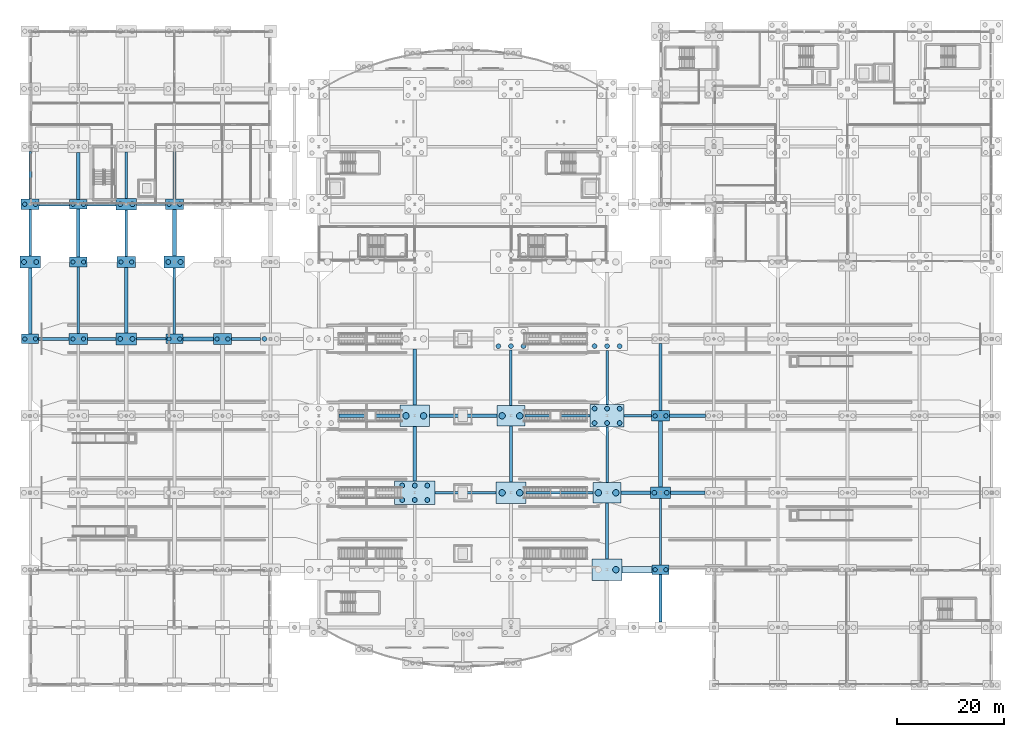
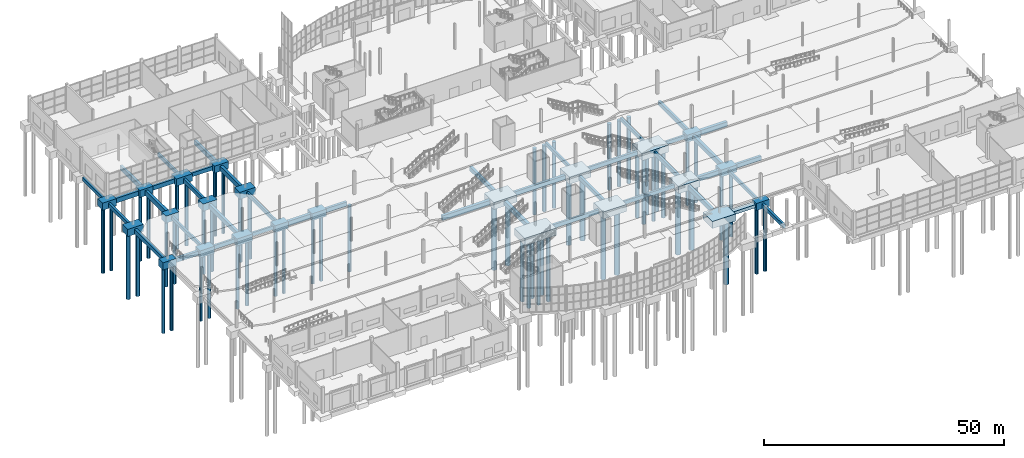
# One storey, part 3 of 115: 64 footings, 60 piles.
"""IFC4 building model written with IfcOpenShell, lengths in metres."""

from ifc_helpers import new_model, si_unit, direction, frame, origin, origin_2d, place, context, subcontext, project, spatial, rectangle, circle, extrude, material, material_profile, profile_set, type_object, element, save


model = new_model("IFC4")

# Units and contexts
model_context = context("Model", 3, precision=1e-05, world=origin(), true_north=direction((0.0, 1.0)))
body_context = subcontext(model_context, "Body", "Model", "MODEL_VIEW")
ifc_project = project(units=[si_unit("LENGTHUNIT", "METRE"), si_unit("AREAUNIT", "SQUARE_METRE"), si_unit("VOLUMEUNIT", "CUBIC_METRE"), si_unit("PLANEANGLEUNIT", "RADIAN"), si_unit("MASSUNIT", "GRAM", prefix="KILO")], contexts=[model_context])

# Site, building, storey
site_placement = place(None, origin())
site = spatial("IfcSite", under=ifc_project, at=site_placement, CompositionType="ELEMENT")
building_placement = place(site_placement, origin())
building = spatial("IfcBuilding", under=site, at=building_placement, Name="Tamarisk Ironworks Central Station", CompositionType="ELEMENT")
storey_placement = place(building_placement, origin())
storey = spatial("IfcBuildingStorey", under=building, at=storey_placement, Name="L00", CompositionType="ELEMENT", Elevation=0.0)

# Footings
ifc_material = material(Name="Concrete C40/50", Category="concrete")
footing_type_1 = type_object("IfcFootingType", Name="CAP-PC01", PredefinedType="PILE_CAP", material=ifc_material)
for number, where, z_axis, x_axis, name in (
    (1, (90.0, 50.39990234375, -1.7998046875), (0.0, 0.0, 1.0), (1.0, 0.0, 0.0), "Pile cap V2-12E"),
    (2, (108.0, 36.0, -1.7998046875), (0.0, 0.0, 1.0), (1.0, 0.0, 0.0), "Pile cap V2-14D"),
):
    element("IfcFooting", number, at=place(storey_placement, frame(where, z_axis=z_axis, x_axis=x_axis)), inside=storey, type_object=footing_type_1, Name=name, PredefinedType="PILE_CAP", context=body_context, shape_type="SweptSolid", body=[
        extrude(rectangle(XDim=5.199951171875, YDim=3.800048828125, at=origin_2d()), origin(), (0.0, 0.0, 1.0), 1.800048828125),
    ])
footing_type_2 = type_object("IfcFootingType", Name="CAP-PC07", PredefinedType="PILE_CAP", material=ifc_material)
for number, where, z_axis, x_axis, name in (
    (3, (0.0, 79.199951171875, -1.7998046875), (0.0, 0.0, 1.0), (1.0, 0.0, 0.0), "Pile cap V1-01G"),
    (4, (18.0, 64.800048828125, -1.7998046875), (0.0, 0.0, 1.0), (1.0, 0.0, 0.0), "Pile cap V1-03F"),
    (5, (27.0, 79.199951171875, -1.7998046875), (0.0, 0.0, 1.0), (1.0, 0.0, 0.0), "Pile cap V1-04G"),
    (6, (118.0, 36.0, -1.7998046875), (0.0, 0.0, 1.0), (1.0, 0.0, 0.0), "Pile cap V1-15D"),
    (7, (18.0, 90.0, -1.7998046875), (0.0, 0.0, 1.0), (1.0, 0.0, 0.0), "Pile cap V4-03H"),
):
    element("IfcFooting", number, at=place(storey_placement, frame(where, z_axis=z_axis, x_axis=x_axis)), inside=storey, type_object=footing_type_2, Name=name, PredefinedType="PILE_CAP", context=body_context, shape_type="SweptSolid", body=[
        extrude(rectangle(XDim=3.800048828125, YDim=2.199951171875, at=origin_2d()), origin(), (0.0, 0.0, 1.0), 1.800048828125),
    ])
footing_type_3 = type_object("IfcFootingType", Name="CAP-PC08", PredefinedType="PILE_CAP", material=ifc_material)
for number, where, z_axis, x_axis, name in (
    (8, (9.0, 64.800048828125, -1.7998046875), (0.0, 0.0, 1.0), (1.0, 0.0, 0.0), "Pile cap V1-02F"),
    (9, (18.0, 79.199951171875, -1.7998046875), (0.0, 0.0, 1.0), (1.0, 0.0, 0.0), "Pile cap V1-03G"),
    (10, (36.0, 64.800048828125, -1.7998046875), (0.0, 0.0, 1.0), (1.0, 0.0, 0.0), "Pile cap V1-05F"),
    (11, (118.0, 50.39990234375, -1.7998046875), (0.0, 0.0, 1.0), (1.0, 0.0, 0.0), "Pile cap V1-15E"),
    (12, (0.0, 90.0, -1.7998046875), (0.0, 0.0, 1.0), (1.0, 0.0, 0.0), "Pile cap V4-01H"),
    (13, (27.0, 90.0, -1.7998046875), (0.0, 0.0, 1.0), (1.0, 0.0, 0.0), "Pile cap V4-04H"),
):
    element("IfcFooting", number, at=place(storey_placement, frame(where, z_axis=z_axis, x_axis=x_axis)), inside=storey, type_object=footing_type_3, Name=name, PredefinedType="PILE_CAP", context=body_context, shape_type="SweptSolid", body=[
        extrude(rectangle(XDim=3.39990234375, YDim=2.0, at=origin_2d()), origin(), (0.0, 0.0, 1.0), 1.800048828125),
    ])
footing_type_4 = type_object("IfcFootingType", Name="CAP-PC09", PredefinedType="PILE_CAP", material=ifc_material)
for number, where, z_axis, x_axis, name in (
    (14, (0.0, 64.800048828125, -1.7998046875), (0.0, 0.0, 1.0), (1.0, 0.0, 0.0), "Pile cap V1-01F"),
    (15, (9.0, 79.199951171875, -1.7998046875), (0.0, 0.0, 1.0), (1.0, 0.0, 0.0), "Pile cap V1-02G"),
    (16, (27.0, 64.800048828125, -1.7998046875), (0.0, 0.0, 1.0), (1.0, 0.0, 0.0), "Pile cap V1-04F"),
    (17, (118.0, 21.60009765625, -1.7998046875), (0.0, 0.0, 1.0), (1.0, 0.0, 0.0), "Pile cap V1-15C"),
    (18, (9.0, 90.0, -1.7998046875), (0.0, 0.0, 1.0), (1.0, 0.0, 0.0), "Pile cap V4-02H"),
):
    element("IfcFooting", number, at=place(storey_placement, frame(where, z_axis=z_axis, x_axis=x_axis)), inside=storey, type_object=footing_type_4, Name=name, PredefinedType="PILE_CAP", context=body_context, shape_type="SweptSolid", body=[
        extrude(rectangle(XDim=3.199951171875, YDim=1.800048828125, at=origin_2d()), origin(), (0.0, 0.0, 1.0), 1.800048828125),
    ])
footing_type_5 = type_object("IfcFootingType", Name="CAP-PC10", PredefinedType="PILE_CAP", material=ifc_material)
footing_1_placement = place(storey_placement, frame((108.0, 50.39990234375, -1.7998046875), z_axis=(0.0, 0.0, 1.0), x_axis=(1.0, 0.0, 0.0)))
element("IfcFooting", 19, at=footing_1_placement, inside=storey, type_object=footing_type_5, Name="Pile cap V2-14E", PredefinedType="PILE_CAP", context=body_context, shape_type="SweptSolid", body=[
    extrude(rectangle(XDim=6.39990234375, YDim=4.199951171875, at=origin_2d()), origin(), (0.0, 0.0, 1.0), 1.800048828125),
])
footing_type_6 = type_object("IfcFootingType", Name="CAP-PC11", PredefinedType="PILE_CAP", material=ifc_material)
footing_2_placement = place(storey_placement, frame((72.0, 36.0, -1.7998046875), z_axis=(0.0, 0.0, 1.0), x_axis=(1.0, 0.0, 0.0)))
element("IfcFooting", 20, at=footing_2_placement, inside=storey, type_object=footing_type_6, Name="Pile cap V2-09D", PredefinedType="PILE_CAP", context=body_context, shape_type="SweptSolid", body=[
    extrude(rectangle(XDim=7.60009765625, YDim=4.39990234375, at=origin_2d()), origin(), (0.0, 0.0, 1.0), 1.800048828125),
])
footing_type_7 = type_object("IfcFootingType", Name="CAP-PC12", PredefinedType="PILE_CAP", material=ifc_material)
for number, where, z_axis, x_axis, name in (
    (21, (72.0, 50.39990234375, -1.7998046875), (0.0, 0.0, 1.0), (1.0, 0.0, 0.0), "Pile cap V2-09E"),
    (22, (90.0, 36.0, -1.7998046875), (0.0, 0.0, 1.0), (1.0, 0.0, 0.0), "Pile cap V2-12D"),
    (23, (108.0, 21.60009765625, -1.7998046875), (0.0, 0.0, 1.0), (1.0, 0.0, 0.0), "Pile cap V2-14C"),
):
    element("IfcFooting", number, at=place(storey_placement, frame(where, z_axis=z_axis, x_axis=x_axis)), inside=storey, type_object=footing_type_7, Name=name, PredefinedType="PILE_CAP", context=body_context, shape_type="SweptSolid", body=[
        extrude(rectangle(XDim=5.60009765625, YDim=4.0, at=origin_2d()), origin(), (0.0, 0.0, 1.0), 1.800048828125),
    ])
ifc_material_profile_1 = material_profile(ifc_material, rectangle(XDim=0.699951171875, YDim=1.199951171875, at=origin_2d()), Name="GB01 700x1200")
ifc_profile_set_1 = profile_set([ifc_material_profile_1], Name="Concrete C40/50")
footing_type_8 = type_object("IfcFootingType", Name="GB-01", PredefinedType="FOOTING_BEAM", material=ifc_profile_set_1)
footing_3_placement = place(storey_placement, frame((110.60009765625, 36.0, -1.050048828125), z_axis=(1.0, 0.0, 0.0), x_axis=(0.0, 1.0, 0.0)))
element("IfcFooting", 24, at=footing_3_placement, inside=storey, type_object=footing_type_8, Name="Ground tie beam GB-X-037", PredefinedType="FOOTING_BEAM", context=body_context, shape_type="SweptSolid", body=[
    extrude(rectangle(XDim=0.699951171875, YDim=1.199951171875, at=origin_2d()), origin(), (0.0, 0.0, 1.0), 5.5),
])
footing_4_placement = place(storey_placement, frame((57.800048828125, 50.39990234375, -1.050048828125), z_axis=(1.0, 0.0, 0.0), x_axis=(0.0, 1.0, 0.0)))
element("IfcFooting", 25, at=footing_4_placement, inside=storey, type_object=footing_type_8, Name="Ground tie beam GB-X-049", PredefinedType="FOOTING_BEAM", context=body_context, shape_type="SweptSolid", body=[
    extrude(rectangle(XDim=0.699951171875, YDim=1.199951171875, at=origin_2d()), origin(), (0.0, 0.0, 1.0), 11.39990234375),
])
footing_5_placement = place(storey_placement, frame((119.699951171875, 50.39990234375, -1.050048828125), z_axis=(1.0, 0.0, 0.0), x_axis=(0.0, 1.0, 0.0)))
element("IfcFooting", 26, at=footing_5_placement, inside=storey, type_object=footing_type_8, Name="Ground tie beam GB-X-053", PredefinedType="FOOTING_BEAM", context=body_context, shape_type="SweptSolid", body=[
    extrude(rectangle(XDim=0.699951171875, YDim=1.199951171875, at=origin_2d()), origin(), (0.0, 0.0, 1.0), 6.699951171875),
])
for number, where, z_axis, x_axis, name in (
    (27, (28.60009765625, 64.800048828125, -1.050048828125), (1.0, 0.0, 0.0), (0.0, 1.0, 0.0), "Ground tie beam GB-X-061"),
    (28, (1.699951171875, 90.0, -1.050048828125), (1.0, 0.0, 0.0), (0.0, 1.0, 0.0), "Ground tie beam GB-X-073"),
):
    element("IfcFooting", number, at=place(storey_placement, frame(where, z_axis=z_axis, x_axis=x_axis)), inside=storey, type_object=footing_type_8, Name=name, PredefinedType="FOOTING_BEAM", context=body_context, shape_type="SweptSolid", body=[
        extrude(rectangle(XDim=0.699951171875, YDim=1.199951171875, at=origin_2d()), origin(), (0.0, 0.0, 1.0), 5.699951171875),
    ])
footing_6_placement = place(storey_placement, frame((9.0, 80.10009765625, -1.050048828125), z_axis=(0.0, 1.0, 0.0), x_axis=(-1.0, 0.0, 0.0)))
element("IfcFooting", 29, at=footing_6_placement, inside=storey, type_object=footing_type_8, Name="Ground tie beam GB-Y-149", PredefinedType="FOOTING_BEAM", context=body_context, shape_type="SweptSolid", body=[
    extrude(rectangle(XDim=0.699951171875, YDim=1.199951171875, at=origin_2d()), origin(), (0.0, 0.0, 1.0), 9.0),
])
footing_7_placement = place(storey_placement, frame((27.0, 80.300048828125, -1.050048828125), z_axis=(0.0, 1.0, 0.0), x_axis=(-1.0, 0.0, 0.0)))
element("IfcFooting", 30, at=footing_7_placement, inside=storey, type_object=footing_type_8, Name="Ground tie beam GB-Y-169", PredefinedType="FOOTING_BEAM", context=body_context, shape_type="SweptSolid", body=[
    extrude(rectangle(XDim=0.699951171875, YDim=1.199951171875, at=origin_2d()), origin(), (0.0, 0.0, 1.0), 8.699951171875),
])
footing_8_placement = place(storey_placement, frame((72.0, 38.199951171875, -1.050048828125), z_axis=(0.0, 1.0, 0.0), x_axis=(-1.0, 0.0, 0.0)))
element("IfcFooting", 31, at=footing_8_placement, inside=storey, type_object=footing_type_8, Name="Ground tie beam GB-Y-205", PredefinedType="FOOTING_BEAM", context=body_context, shape_type="SweptSolid", body=[
    extrude(rectangle(XDim=0.699951171875, YDim=1.199951171875, at=origin_2d()), origin(), (0.0, 0.0, 1.0), 10.199951171875),
])
footing_9_placement = place(storey_placement, frame((118.0, 37.10009765625, -1.050048828125), z_axis=(0.0, 1.0, 0.0), x_axis=(-1.0, 0.0, 0.0)))
element("IfcFooting", 32, at=footing_9_placement, inside=storey, type_object=footing_type_8, Name="Ground tie beam GB-Y-233", PredefinedType="FOOTING_BEAM", context=body_context, shape_type="SweptSolid", body=[
    extrude(rectangle(XDim=0.699951171875, YDim=1.199951171875, at=origin_2d()), origin(), (0.0, 0.0, 1.0), 12.2998046875),
])
ifc_material_profile_2 = material_profile(ifc_material, rectangle(XDim=0.60009765625, YDim=1.10009765625, at=origin_2d()), Name="GB02 600x1100")
ifc_profile_set_2 = profile_set([ifc_material_profile_2], Name="Concrete C40/50")
footing_type_9 = type_object("IfcFootingType", Name="GB-02", PredefinedType="FOOTING_BEAM", material=ifc_profile_set_2)
footing_10_placement = place(storey_placement, frame((119.89990234375, 36.0, -1.0), z_axis=(1.0, 0.0, 0.0), x_axis=(0.0, 1.0, 0.0)))
element("IfcFooting", 33, at=footing_10_placement, inside=storey, type_object=footing_type_9, Name="Ground tie beam GB-X-038", PredefinedType="FOOTING_BEAM", context=body_context, shape_type="SweptSolid", body=[
    extrude(rectangle(XDim=0.60009765625, YDim=1.10009765625, at=origin_2d()), origin(), (0.0, 0.0, 1.0), 6.400146484375),
])
footing_11_placement = place(storey_placement, frame((74.800048828125, 50.39990234375, -1.0), z_axis=(1.0, 0.0, 0.0), x_axis=(0.0, 1.0, 0.0)))
element("IfcFooting", 34, at=footing_11_placement, inside=storey, type_object=footing_type_9, Name="Ground tie beam GB-X-050", PredefinedType="FOOTING_BEAM", context=body_context, shape_type="SweptSolid", body=[
    extrude(rectangle(XDim=0.60009765625, YDim=1.10009765625, at=origin_2d()), origin(), (0.0, 0.0, 1.0), 12.599853515625),
])
footing_12_placement = place(storey_placement, frame((1.60009765625, 64.800048828125, -1.0), z_axis=(1.0, 0.0, 0.0), x_axis=(0.0, 1.0, 0.0)))
element("IfcFooting", 35, at=footing_12_placement, inside=storey, type_object=footing_type_9, Name="Ground tie beam GB-X-058", PredefinedType="FOOTING_BEAM", context=body_context, shape_type="SweptSolid", body=[
    extrude(rectangle(XDim=0.60009765625, YDim=1.10009765625, at=origin_2d()), origin(), (0.0, 0.0, 1.0), 5.699951171875),
])
footing_13_placement = place(storey_placement, frame((37.699951171875, 64.800048828125, -1.0), z_axis=(1.0, 0.0, 0.0), x_axis=(0.0, 1.0, 0.0)))
element("IfcFooting", 36, at=footing_13_placement, inside=storey, type_object=footing_type_9, Name="Ground tie beam GB-X-062", PredefinedType="FOOTING_BEAM", context=body_context, shape_type="SweptSolid", body=[
    extrude(rectangle(XDim=0.60009765625, YDim=1.10009765625, at=origin_2d()), origin(), (0.0, 0.0, 1.0), 5.400146484375),
])
footing_14_placement = place(storey_placement, frame((10.60009765625, 90.0, -1.0), z_axis=(1.0, 0.0, 0.0), x_axis=(0.0, 1.0, 0.0)))
element("IfcFooting", 37, at=footing_14_placement, inside=storey, type_object=footing_type_9, Name="Ground tie beam GB-X-074", PredefinedType="FOOTING_BEAM", context=body_context, shape_type="SweptSolid", body=[
    extrude(rectangle(XDim=0.60009765625, YDim=1.10009765625, at=origin_2d()), origin(), (0.0, 0.0, 1.0), 5.5),
])
footing_15_placement = place(storey_placement, frame((0.0, 65.699951171875, -1.0), z_axis=(0.0, 1.0, 0.0), x_axis=(-1.0, 0.0, 0.0)))
element("IfcFooting", 38, at=footing_15_placement, inside=storey, type_object=footing_type_9, Name="Ground tie beam GB-Y-138", PredefinedType="FOOTING_BEAM", context=body_context, shape_type="SweptSolid", body=[
    extrude(rectangle(XDim=0.60009765625, YDim=1.10009765625, at=origin_2d()), origin(), (0.0, 0.0, 1.0), 12.400146484375),
])
footing_16_placement = place(storey_placement, frame((9.0, 90.89990234375, -1.0), z_axis=(0.0, 1.0, 0.0), x_axis=(-1.0, 0.0, 0.0)))
element("IfcFooting", 39, at=footing_16_placement, inside=storey, type_object=footing_type_9, Name="Ground tie beam GB-Y-150", PredefinedType="FOOTING_BEAM", context=body_context, shape_type="SweptSolid", body=[
    extrude(rectangle(XDim=0.60009765625, YDim=1.10009765625, at=origin_2d()), origin(), (0.0, 0.0, 1.0), 8.800048828125),
])
footing_17_placement = place(storey_placement, frame((18.0, 65.89990234375, -1.0), z_axis=(0.0, 1.0, 0.0), x_axis=(-1.0, 0.0, 0.0)))
element("IfcFooting", 40, at=footing_17_placement, inside=storey, type_object=footing_type_9, Name="Ground tie beam GB-Y-158", PredefinedType="FOOTING_BEAM", context=body_context, shape_type="SweptSolid", body=[
    extrude(rectangle(XDim=0.60009765625, YDim=1.10009765625, at=origin_2d()), origin(), (0.0, 0.0, 1.0), 12.300048828125),
])
footing_18_placement = place(storey_placement, frame((27.0, 91.0, -1.0), z_axis=(0.0, 1.0, 0.0), x_axis=(-1.0, 0.0, 0.0)))
element("IfcFooting", 41, at=footing_18_placement, inside=storey, type_object=footing_type_9, Name="Ground tie beam GB-Y-170", PredefinedType="FOOTING_BEAM", context=body_context, shape_type="SweptSolid", body=[
    extrude(rectangle(XDim=0.60009765625, YDim=1.10009765625, at=origin_2d()), origin(), (0.0, 0.0, 1.0), 8.89990234375),
])
for number, where, z_axis, x_axis, name in (
    (42, (72.0, 52.39990234375, -1.0), (0.0, 1.0, 0.0), (-1.0, 0.0, 0.0), "Ground tie beam GB-Y-206"),
    (43, (108.0, 23.60009765625, -1.0), (0.0, 1.0, 0.0), (-1.0, 0.0, 0.0), "Ground tie beam GB-Y-222"),
):
    element("IfcFooting", number, at=place(storey_placement, frame(where, z_axis=z_axis, x_axis=x_axis)), inside=storey, type_object=footing_type_9, Name=name, PredefinedType="FOOTING_BEAM", context=body_context, shape_type="SweptSolid", body=[
        extrude(rectangle(XDim=0.60009765625, YDim=1.10009765625, at=origin_2d()), origin(), (0.0, 0.0, 1.0), 10.5),
    ])
footing_19_placement = place(storey_placement, frame((118.0, 51.39990234375, -1.0), z_axis=(0.0, 1.0, 0.0), x_axis=(-1.0, 0.0, 0.0)))
element("IfcFooting", 44, at=footing_19_placement, inside=storey, type_object=footing_type_9, Name="Ground tie beam GB-Y-234", PredefinedType="FOOTING_BEAM", context=body_context, shape_type="SweptSolid", body=[
    extrude(rectangle(XDim=0.60009765625, YDim=1.10009765625, at=origin_2d()), origin(), (0.0, 0.0, 1.0), 12.5),
])
ifc_material_profile_3 = material_profile(ifc_material, rectangle(XDim=0.5, YDim=1.0, at=origin_2d()), Name="GB03 500x1000")
ifc_profile_set_3 = profile_set([ifc_material_profile_3], Name="Concrete C40/50")
footing_type_10 = type_object("IfcFootingType", Name="GB-03", PredefinedType="FOOTING_BEAM", material=ifc_profile_set_3)
footing_20_placement = place(storey_placement, frame((75.800048828125, 36.0, -0.949951171875), z_axis=(1.0, 0.0, 0.0), x_axis=(0.0, 1.0, 0.0)))
element("IfcFooting", 45, at=footing_20_placement, inside=storey, type_object=footing_type_10, Name="Ground tie beam GB-X-035", PredefinedType="FOOTING_BEAM", context=body_context, shape_type="SweptSolid", body=[
    extrude(rectangle(XDim=0.5, YDim=1.0, at=origin_2d()), origin(), (0.0, 0.0, 1.0), 11.39990234375),
])
footing_21_placement = place(storey_placement, frame((92.60009765625, 50.39990234375, -0.949951171875), z_axis=(1.0, 0.0, 0.0), x_axis=(0.0, 1.0, 0.0)))
element("IfcFooting", 46, at=footing_21_placement, inside=storey, type_object=footing_type_10, Name="Ground tie beam GB-X-051", PredefinedType="FOOTING_BEAM", context=body_context, shape_type="SweptSolid", body=[
    extrude(rectangle(XDim=0.5, YDim=1.0, at=origin_2d()), origin(), (0.0, 0.0, 1.0), 12.199951171875),
])
for number, where, z_axis, x_axis, name in (
    (47, (10.699951171875, 64.800048828125, -0.949951171875), (1.0, 0.0, 0.0), (0.0, 1.0, 0.0), "Ground tie beam GB-X-059"),
    (48, (19.89990234375, 90.0, -0.949951171875), (1.0, 0.0, 0.0), (0.0, 1.0, 0.0), "Ground tie beam GB-X-075"),
):
    element("IfcFooting", number, at=place(storey_placement, frame(where, z_axis=z_axis, x_axis=x_axis)), inside=storey, type_object=footing_type_10, Name=name, PredefinedType="FOOTING_BEAM", context=body_context, shape_type="SweptSolid", body=[
        extrude(rectangle(XDim=0.5, YDim=1.0, at=origin_2d()), origin(), (0.0, 0.0, 1.0), 5.400146484375),
    ])
for number, where, z_axis, x_axis, name in (
    (49, (0.0, 80.300048828125, -0.949951171875), (0.0, 1.0, 0.0), (-1.0, 0.0, 0.0), "Ground tie beam GB-Y-139"),
    (50, (18.0, 80.199951171875, -0.949951171875), (0.0, 1.0, 0.0), (-1.0, 0.0, 0.0), "Ground tie beam GB-Y-159"),
):
    element("IfcFooting", number, at=place(storey_placement, frame(where, z_axis=z_axis, x_axis=x_axis)), inside=storey, type_object=footing_type_10, Name=name, PredefinedType="FOOTING_BEAM", context=body_context, shape_type="SweptSolid", body=[
        extrude(rectangle(XDim=0.5, YDim=1.0, at=origin_2d()), origin(), (0.0, 0.0, 1.0), 8.699951171875),
    ])
footing_22_placement = place(storey_placement, frame((90.0, 38.0, -0.949951171875), z_axis=(0.0, 1.0, 0.0), x_axis=(-1.0, 0.0, 0.0)))
element("IfcFooting", 51, at=footing_22_placement, inside=storey, type_object=footing_type_10, Name="Ground tie beam GB-Y-215", PredefinedType="FOOTING_BEAM", context=body_context, shape_type="SweptSolid", body=[
    extrude(rectangle(XDim=0.5, YDim=1.0, at=origin_2d()), origin(), (0.0, 0.0, 1.0), 10.5),
])
footing_23_placement = place(storey_placement, frame((108.0, 37.89990234375, -0.949951171875), z_axis=(0.0, 1.0, 0.0), x_axis=(-1.0, 0.0, 0.0)))
element("IfcFooting", 52, at=footing_23_placement, inside=storey, type_object=footing_type_10, Name="Ground tie beam GB-Y-223", PredefinedType="FOOTING_BEAM", context=body_context, shape_type="SweptSolid", body=[
    extrude(rectangle(XDim=0.5, YDim=1.0, at=origin_2d()), origin(), (0.0, 0.0, 1.0), 10.400146484375),
])
footing_24_placement = place(storey_placement, frame((118.0, 11.800048828125, -0.949951171875), z_axis=(0.0, 1.0, 0.0), x_axis=(-1.0, 0.0, 0.0)))
element("IfcFooting", 53, at=footing_24_placement, inside=storey, type_object=footing_type_10, Name="Ground tie beam GB-Y-231", PredefinedType="FOOTING_BEAM", context=body_context, shape_type="SweptSolid", body=[
    extrude(rectangle(XDim=0.5, YDim=1.0, at=origin_2d()), origin(), (0.0, 0.0, 1.0), 8.89990234375),
])
ifc_material_profile_4 = material_profile(ifc_material, rectangle(XDim=0.449951171875, YDim=0.89990234375, at=origin_2d()), Name="GB04 450x900")
ifc_profile_set_4 = profile_set([ifc_material_profile_4], Name="Concrete C40/50")
footing_type_11 = type_object("IfcFootingType", Name="GB-04", PredefinedType="FOOTING_BEAM", material=ifc_profile_set_4)
footing_25_placement = place(storey_placement, frame((92.800048828125, 36.0, -0.89990234375), z_axis=(1.0, 0.0, 0.0), x_axis=(0.0, 1.0, 0.0)))
element("IfcFooting", 54, at=footing_25_placement, inside=storey, type_object=footing_type_11, Name="Ground tie beam GB-X-036", PredefinedType="FOOTING_BEAM", context=body_context, shape_type="SweptSolid", body=[
    extrude(rectangle(XDim=0.449951171875, YDim=0.89990234375, at=origin_2d()), origin(), (0.0, 0.0, 1.0), 12.599853515625),
])
footing_26_placement = place(storey_placement, frame((111.199951171875, 50.39990234375, -0.89990234375), z_axis=(1.0, 0.0, 0.0), x_axis=(0.0, 1.0, 0.0)))
element("IfcFooting", 55, at=footing_26_placement, inside=storey, type_object=footing_type_11, Name="Ground tie beam GB-X-052", PredefinedType="FOOTING_BEAM", context=body_context, shape_type="SweptSolid", body=[
    extrude(rectangle(XDim=0.449951171875, YDim=0.89990234375, at=origin_2d()), origin(), (0.0, 0.0, 1.0), 5.10009765625),
])
footing_27_placement = place(storey_placement, frame((19.89990234375, 64.800048828125, -0.89990234375), z_axis=(1.0, 0.0, 0.0), x_axis=(0.0, 1.0, 0.0)))
element("IfcFooting", 56, at=footing_27_placement, inside=storey, type_object=footing_type_11, Name="Ground tie beam GB-X-060", PredefinedType="FOOTING_BEAM", context=body_context, shape_type="SweptSolid", body=[
    extrude(rectangle(XDim=0.449951171875, YDim=0.89990234375, at=origin_2d()), origin(), (0.0, 0.0, 1.0), 5.5),
])
footing_28_placement = place(storey_placement, frame((0.0, 91.0, -0.89990234375), z_axis=(0.0, 1.0, 0.0), x_axis=(-1.0, 0.0, 0.0)))
element("IfcFooting", 57, at=footing_28_placement, inside=storey, type_object=footing_type_11, Name="Ground tie beam GB-Y-140", PredefinedType="FOOTING_BEAM", context=body_context, shape_type="SweptSolid", body=[
    extrude(rectangle(XDim=0.449951171875, YDim=0.89990234375, at=origin_2d()), origin(), (0.0, 0.0, 1.0), 8.89990234375),
])
footing_29_placement = place(storey_placement, frame((9.0, 65.800048828125, -0.89990234375), z_axis=(0.0, 1.0, 0.0), x_axis=(-1.0, 0.0, 0.0)))
element("IfcFooting", 58, at=footing_29_placement, inside=storey, type_object=footing_type_11, Name="Ground tie beam GB-Y-148", PredefinedType="FOOTING_BEAM", context=body_context, shape_type="SweptSolid", body=[
    extrude(rectangle(XDim=0.449951171875, YDim=0.89990234375, at=origin_2d()), origin(), (0.0, 0.0, 1.0), 12.5),
])
footing_30_placement = place(storey_placement, frame((18.0, 91.10009765625, -0.89990234375), z_axis=(0.0, 1.0, 0.0), x_axis=(-1.0, 0.0, 0.0)))
element("IfcFooting", 59, at=footing_30_placement, inside=storey, type_object=footing_type_11, Name="Ground tie beam GB-Y-160", PredefinedType="FOOTING_BEAM", context=body_context, shape_type="SweptSolid", body=[
    extrude(rectangle(XDim=0.449951171875, YDim=0.89990234375, at=origin_2d()), origin(), (0.0, 0.0, 1.0), 8.699951171875),
])
footing_31_placement = place(storey_placement, frame((27.0, 65.699951171875, -0.89990234375), z_axis=(0.0, 1.0, 0.0), x_axis=(-1.0, 0.0, 0.0)))
element("IfcFooting", 60, at=footing_31_placement, inside=storey, type_object=footing_type_11, Name="Ground tie beam GB-Y-168", PredefinedType="FOOTING_BEAM", context=body_context, shape_type="SweptSolid", body=[
    extrude(rectangle(XDim=0.449951171875, YDim=0.89990234375, at=origin_2d()), origin(), (0.0, 0.0, 1.0), 12.400146484375),
])
footing_32_placement = place(storey_placement, frame((90.0, 52.300048828125, -0.89990234375), z_axis=(0.0, 1.0, 0.0), x_axis=(-1.0, 0.0, 0.0)))
element("IfcFooting", 61, at=footing_32_placement, inside=storey, type_object=footing_type_11, Name="Ground tie beam GB-Y-216", PredefinedType="FOOTING_BEAM", context=body_context, shape_type="SweptSolid", body=[
    extrude(rectangle(XDim=0.449951171875, YDim=0.89990234375, at=origin_2d()), origin(), (0.0, 0.0, 1.0), 10.39990234375),
])
footing_33_placement = place(storey_placement, frame((108.0, 52.5, -0.89990234375), z_axis=(0.0, 1.0, 0.0), x_axis=(-1.0, 0.0, 0.0)))
element("IfcFooting", 62, at=footing_33_placement, inside=storey, type_object=footing_type_11, Name="Ground tie beam GB-Y-224", PredefinedType="FOOTING_BEAM", context=body_context, shape_type="SweptSolid", body=[
    extrude(rectangle(XDim=0.449951171875, YDim=0.89990234375, at=origin_2d()), origin(), (0.0, 0.0, 1.0), 10.10009765625),
])
footing_34_placement = place(storey_placement, frame((118.0, 22.5, -0.89990234375), z_axis=(0.0, 1.0, 0.0), x_axis=(-1.0, 0.0, 0.0)))
element("IfcFooting", 63, at=footing_34_placement, inside=storey, type_object=footing_type_11, Name="Ground tie beam GB-Y-232", PredefinedType="FOOTING_BEAM", context=body_context, shape_type="SweptSolid", body=[
    extrude(rectangle(XDim=0.449951171875, YDim=0.89990234375, at=origin_2d()), origin(), (0.0, 0.0, 1.0), 12.39990234375),
])

# Piles
ifc_material_profile_5 = material_profile(ifc_material, circle(Radius=0.60009765625, at=origin_2d()), Name="BORED PILE D1200")
ifc_profile_set_5 = profile_set([ifc_material_profile_5], Name="Concrete C40/50")
pile_type_1 = type_object("IfcPileType", Name="PILE-D1200", PredefinedType="BORED", material=ifc_profile_set_5)
for number, where, z_axis, x_axis, name in (
    (64, (70.35009765625, 50.39990234375, -1.64990234375), (0.0, 0.0, -1.0), (1.0, 0.0, 0.0), "Bored pile V2-09E-1"),
    (65, (73.64990234375, 50.39990234375, -1.64990234375), (0.0, 0.0, -1.0), (1.0, 0.0, 0.0), "Bored pile V2-09E-2"),
    (66, (88.35009765625, 36.0, -1.64990234375), (0.0, 0.0, -1.0), (1.0, 0.0, 0.0), "Bored pile V2-12D-1"),
    (67, (91.64990234375, 36.0, -1.64990234375), (0.0, 0.0, -1.0), (1.0, 0.0, 0.0), "Bored pile V2-12D-2"),
    (68, (88.35009765625, 50.39990234375, -1.64990234375), (0.0, 0.0, -1.0), (1.0, 0.0, 0.0), "Bored pile V2-12E-1"),
    (69, (91.64990234375, 50.39990234375, -1.64990234375), (0.0, 0.0, -1.0), (1.0, 0.0, 0.0), "Bored pile V2-12E-2"),
    (70, (109.64990234375, 21.60009765625, -1.64990234375), (0.0, 0.0, -1.0), (1.0, 0.0, 0.0), "Bored pile V2-14C-2"),
    (71, (106.35009765625, 36.0, -1.64990234375), (0.0, 0.0, -1.0), (1.0, 0.0, 0.0), "Bored pile V2-14D-1"),
    (72, (109.64990234375, 36.0, -1.64990234375), (0.0, 0.0, -1.0), (1.0, 0.0, 0.0), "Bored pile V2-14D-2"),
):
    element("IfcPile", number, at=place(storey_placement, frame(where, z_axis=z_axis, x_axis=x_axis)), inside=storey, type_object=pile_type_1, Name=name, PredefinedType="BORED", context=body_context, shape_type="SweptSolid", body=[
        extrude(circle(Radius=0.60009765625, at=origin_2d()), origin(), (0.0, 0.0, 1.0), 16.85009765625),
    ])
ifc_material_profile_6 = material_profile(ifc_material, circle(Radius=0.39990234375, at=origin_2d()), Name="BORED PILE D800")
ifc_profile_set_6 = profile_set([ifc_material_profile_6], Name="Concrete C40/50")
pile_type_2 = type_object("IfcPileType", Name="PILE-D800", PredefinedType="BORED", material=ifc_profile_set_6)
for number, where, z_axis, x_axis, name in (
    (73, (-1.0, 64.800048828125, -1.64990234375), (0.0, 0.0, -1.0), (1.0, 0.0, 0.0), "Bored pile V1-01F-1"),
    (74, (1.0, 64.800048828125, -1.64990234375), (0.0, 0.0, -1.0), (1.0, 0.0, 0.0), "Bored pile V1-01F-2"),
    (75, (8.0, 64.800048828125, -1.64990234375), (0.0, 0.0, -1.0), (1.0, 0.0, 0.0), "Bored pile V1-02F-1"),
    (76, (10.0, 64.800048828125, -1.64990234375), (0.0, 0.0, -1.0), (1.0, 0.0, 0.0), "Bored pile V1-02F-2"),
    (77, (8.0, 79.199951171875, -1.64990234375), (0.0, 0.0, -1.0), (1.0, 0.0, 0.0), "Bored pile V1-02G-1"),
    (78, (10.0, 79.199951171875, -1.64990234375), (0.0, 0.0, -1.0), (1.0, 0.0, 0.0), "Bored pile V1-02G-2"),
    (79, (17.0, 79.199951171875, -1.64990234375), (0.0, 0.0, -1.0), (1.0, 0.0, 0.0), "Bored pile V1-03G-1"),
    (80, (19.0, 79.199951171875, -1.64990234375), (0.0, 0.0, -1.0), (1.0, 0.0, 0.0), "Bored pile V1-03G-2"),
    (81, (26.0, 64.800048828125, -1.64990234375), (0.0, 0.0, -1.0), (1.0, 0.0, 0.0), "Bored pile V1-04F-1"),
    (82, (28.0, 64.800048828125, -1.64990234375), (0.0, 0.0, -1.0), (1.0, 0.0, 0.0), "Bored pile V1-04F-2"),
    (83, (35.0, 64.800048828125, -1.64990234375), (0.0, 0.0, -1.0), (1.0, 0.0, 0.0), "Bored pile V1-05F-1"),
    (84, (37.0, 64.800048828125, -1.64990234375), (0.0, 0.0, -1.0), (1.0, 0.0, 0.0), "Bored pile V1-05F-2"),
    (85, (117.0, 21.60009765625, -1.64990234375), (0.0, 0.0, -1.0), (1.0, 0.0, 0.0), "Bored pile V1-15C-1"),
    (86, (119.0, 21.60009765625, -1.64990234375), (0.0, 0.0, -1.0), (1.0, 0.0, 0.0), "Bored pile V1-15C-2"),
    (87, (117.0, 50.39990234375, -1.64990234375), (0.0, 0.0, -1.0), (1.0, 0.0, 0.0), "Bored pile V1-15E-1"),
    (88, (119.0, 50.39990234375, -1.64990234375), (0.0, 0.0, -1.0), (1.0, 0.0, 0.0), "Bored pile V1-15E-2"),
    (89, (-1.0, 90.0, -1.64990234375), (0.0, 0.0, -1.0), (1.0, 0.0, 0.0), "Bored pile V4-01H-1"),
    (90, (1.0, 90.0, -1.64990234375), (0.0, 0.0, -1.0), (1.0, 0.0, 0.0), "Bored pile V4-01H-2"),
    (91, (8.0, 90.0, -1.64990234375), (0.0, 0.0, -1.0), (1.0, 0.0, 0.0), "Bored pile V4-02H-1"),
    (92, (10.0, 90.0, -1.64990234375), (0.0, 0.0, -1.0), (1.0, 0.0, 0.0), "Bored pile V4-02H-2"),
    (93, (26.0, 90.0, -1.64990234375), (0.0, 0.0, -1.0), (1.0, 0.0, 0.0), "Bored pile V4-04H-1"),
    (94, (28.0, 90.0, -1.64990234375), (0.0, 0.0, -1.0), (1.0, 0.0, 0.0), "Bored pile V4-04H-2"),
):
    element("IfcPile", number, at=place(storey_placement, frame(where, z_axis=z_axis, x_axis=x_axis)), inside=storey, type_object=pile_type_2, Name=name, PredefinedType="BORED", context=body_context, shape_type="SweptSolid", body=[
        extrude(circle(Radius=0.39990234375, at=origin_2d()), origin(), (0.0, 0.0, 1.0), 16.85009765625),
    ])
ifc_material_profile_7 = material_profile(ifc_material, circle(Radius=0.449951171875, at=origin_2d()), Name="BORED PILE D900")
ifc_profile_set_7 = profile_set([ifc_material_profile_7], Name="Concrete C40/50")
pile_type_3 = type_object("IfcPileType", Name="PILE-D900", PredefinedType="BORED", material=ifc_profile_set_7)
for number, where, z_axis, x_axis, name in (
    (95, (69.64990234375, 34.64990234375, -1.64990234375), (0.0, 0.0, -1.0), (1.0, 0.0, 0.0), "Bored pile V2-09D-1"),
    (96, (72.0, 34.64990234375, -1.64990234375), (0.0, 0.0, -1.0), (1.0, 0.0, 0.0), "Bored pile V2-09D-2"),
    (97, (74.35009765625, 34.64990234375, -1.64990234375), (0.0, 0.0, -1.0), (1.0, 0.0, 0.0), "Bored pile V2-09D-3"),
    (98, (69.64990234375, 37.35009765625, -1.64990234375), (0.0, 0.0, -1.0), (1.0, 0.0, 0.0), "Bored pile V2-09D-4"),
    (99, (72.0, 37.35009765625, -1.64990234375), (0.0, 0.0, -1.0), (1.0, 0.0, 0.0), "Bored pile V2-09D-5"),
    (100, (74.35009765625, 37.35009765625, -1.64990234375), (0.0, 0.0, -1.0), (1.0, 0.0, 0.0), "Bored pile V2-09D-6"),
    (101, (87.64990234375, 63.449951171875, -1.64990234375), (0.0, 0.0, -1.0), (1.0, 0.0, 0.0), "Bored pile V2-12F-1"),
    (102, (90.0, 63.449951171875, -1.64990234375), (0.0, 0.0, -1.0), (1.0, 0.0, 0.0), "Bored pile V2-12F-2"),
    (103, (92.35009765625, 63.449951171875, -1.64990234375), (0.0, 0.0, -1.0), (1.0, 0.0, 0.0), "Bored pile V2-12F-3"),
    (104, (105.64990234375, 49.050048828125, -1.64990234375), (0.0, 0.0, -1.0), (1.0, 0.0, 0.0), "Bored pile V2-14E-1"),
    (105, (108.0, 49.050048828125, -1.64990234375), (0.0, 0.0, -1.0), (1.0, 0.0, 0.0), "Bored pile V2-14E-2"),
    (106, (110.35009765625, 49.050048828125, -1.64990234375), (0.0, 0.0, -1.0), (1.0, 0.0, 0.0), "Bored pile V2-14E-3"),
    (107, (105.64990234375, 51.75, -1.64990234375), (0.0, 0.0, -1.0), (1.0, 0.0, 0.0), "Bored pile V2-14E-4"),
    (108, (108.0, 51.75, -1.64990234375), (0.0, 0.0, -1.0), (1.0, 0.0, 0.0), "Bored pile V2-14E-5"),
    (109, (110.35009765625, 51.75, -1.64990234375), (0.0, 0.0, -1.0), (1.0, 0.0, 0.0), "Bored pile V2-14E-6"),
    (110, (105.64990234375, 63.449951171875, -1.64990234375), (0.0, 0.0, -1.0), (1.0, 0.0, 0.0), "Bored pile V2-14F-1"),
    (111, (108.0, 63.449951171875, -1.64990234375), (0.0, 0.0, -1.0), (1.0, 0.0, 0.0), "Bored pile V2-14F-2"),
    (112, (110.35009765625, 63.449951171875, -1.64990234375), (0.0, 0.0, -1.0), (1.0, 0.0, 0.0), "Bored pile V2-14F-3"),
    (113, (-1.14990234375, 79.199951171875, -1.64990234375), (0.0, 0.0, -1.0), (1.0, 0.0, 0.0), "Bored pile V1-01G-1"),
    (114, (1.14990234375, 79.199951171875, -1.64990234375), (0.0, 0.0, -1.0), (1.0, 0.0, 0.0), "Bored pile V1-01G-2"),
    (115, (16.85009765625, 64.800048828125, -1.64990234375), (0.0, 0.0, -1.0), (1.0, 0.0, 0.0), "Bored pile V1-03F-1"),
    (116, (19.14990234375, 64.800048828125, -1.64990234375), (0.0, 0.0, -1.0), (1.0, 0.0, 0.0), "Bored pile V1-03F-2"),
    (117, (25.85009765625, 79.199951171875, -1.64990234375), (0.0, 0.0, -1.0), (1.0, 0.0, 0.0), "Bored pile V1-04G-1"),
    (118, (28.14990234375, 79.199951171875, -1.64990234375), (0.0, 0.0, -1.0), (1.0, 0.0, 0.0), "Bored pile V1-04G-2"),
    (119, (43.85009765625, 64.800048828125, -1.64990234375), (0.0, 0.0, -1.0), (1.0, 0.0, 0.0), "Bored pile V1-06F-1"),
    (120, (116.85009765625, 36.0, -1.64990234375), (0.0, 0.0, -1.0), (1.0, 0.0, 0.0), "Bored pile V1-15D-1"),
    (121, (119.14990234375, 36.0, -1.64990234375), (0.0, 0.0, -1.0), (1.0, 0.0, 0.0), "Bored pile V1-15D-2"),
    (122, (16.85009765625, 90.0, -1.64990234375), (0.0, 0.0, -1.0), (1.0, 0.0, 0.0), "Bored pile V4-03H-1"),
    (123, (19.14990234375, 90.0, -1.64990234375), (0.0, 0.0, -1.0), (1.0, 0.0, 0.0), "Bored pile V4-03H-2"),
):
    element("IfcPile", number, at=place(storey_placement, frame(where, z_axis=z_axis, x_axis=x_axis)), inside=storey, type_object=pile_type_3, Name=name, PredefinedType="BORED", context=body_context, shape_type="SweptSolid", body=[
        extrude(circle(Radius=0.449951171875, at=origin_2d()), origin(), (0.0, 0.0, 1.0), 16.85009765625),
    ])

# Footing
ifc_material_profile_8 = material_profile(ifc_material, rectangle(XDim=1.199951171875, YDim=0.800048828125, at=origin_2d()), Name="SF01 1200x800")
ifc_profile_set_8 = profile_set([ifc_material_profile_8], Name="Concrete C40/50")
footing_type_12 = type_object("IfcFootingType", Name="SF-01", PredefinedType="STRIP_FOOTING", material=ifc_profile_set_8)
footing_35_placement = place(storey_placement, frame((110.800048828125, 21.60009765625, -0.85009765625), z_axis=(1.0, 0.0, 0.0), x_axis=(0.0, 1.0, 0.0)))
element("IfcFooting", 124, at=footing_35_placement, inside=storey, type_object=footing_type_12, Name="Strip footing SF-12", PredefinedType="STRIP_FOOTING", context=body_context, shape_type="SweptSolid", body=[
    extrude(rectangle(XDim=1.199951171875, YDim=0.800048828125, at=origin_2d()), origin(), (0.0, 0.0, 1.0), 5.599853515625),
])

save(model, "model.ifc")
